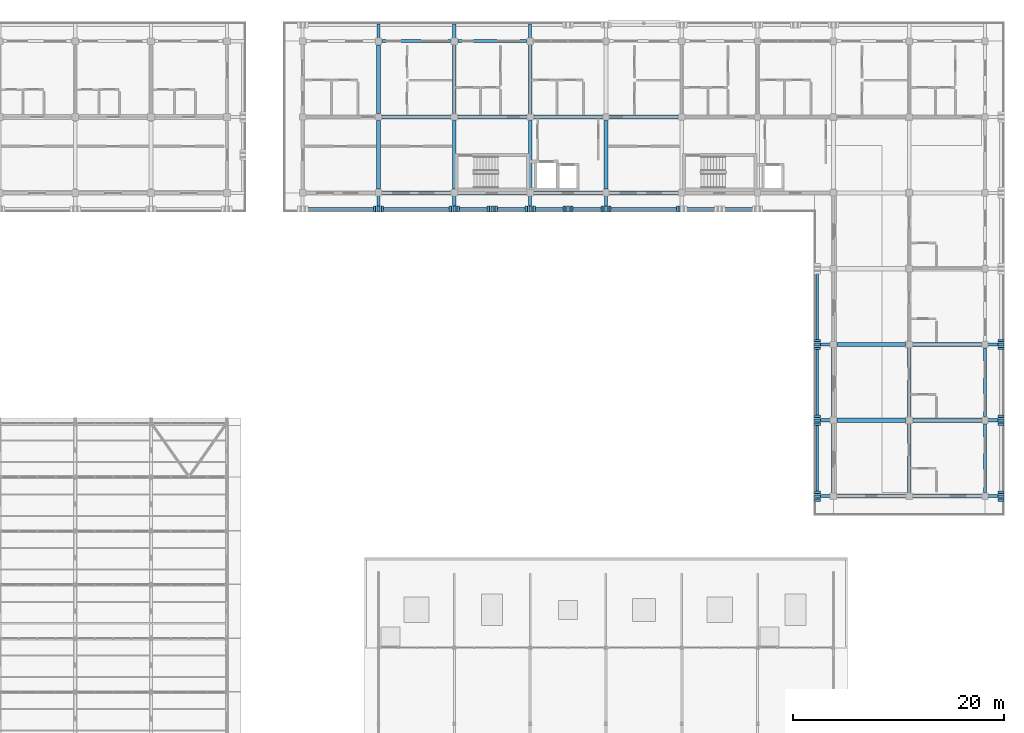
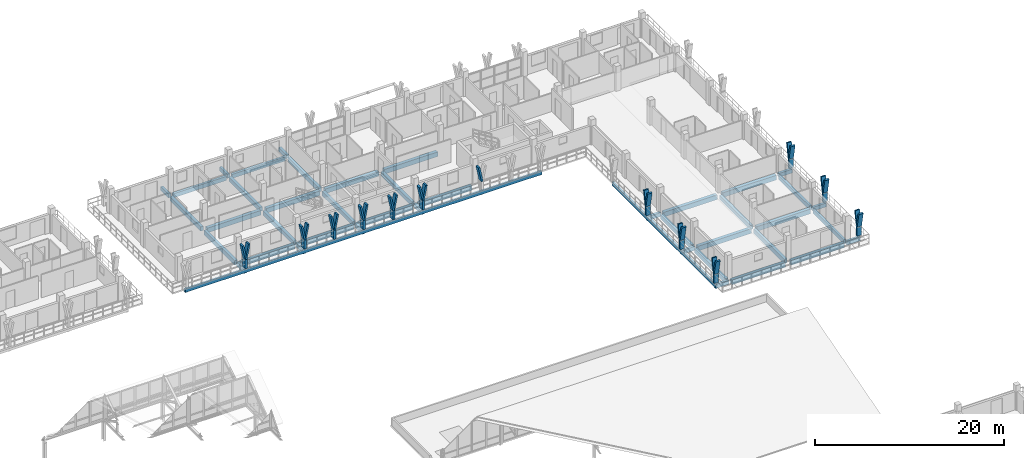
# One storey, part 88 of 157: 44 beams, 37 members.
"""IFC4 building model written with IfcOpenShell, lengths in metres."""

from ifc_helpers import new_model, si_unit, direction, frame, origin, origin_2d, place, context, subcontext, project, spatial, rectangle, extrude, material, material_profile, profile_set, type_object, element, save


model = new_model("IFC4")

# Units and contexts
model_context = context("Model", 3, precision=1e-05, world=origin(), true_north=direction((0.0, 1.0)))
body_context = subcontext(model_context, "Body", "Model", "MODEL_VIEW")
ifc_project = project(units=[si_unit("LENGTHUNIT", "METRE"), si_unit("AREAUNIT", "SQUARE_METRE"), si_unit("VOLUMEUNIT", "CUBIC_METRE"), si_unit("PLANEANGLEUNIT", "RADIAN"), si_unit("MASSUNIT", "GRAM", prefix="KILO")], contexts=[model_context])

# Site, building, storey
site_placement = place(None, origin())
site = spatial("IfcSite", under=ifc_project, at=site_placement, CompositionType="ELEMENT")
building_placement = place(site_placement, origin())
building = spatial("IfcBuilding", under=site, at=building_placement, Name="Suanplinth Sawtooth Commons", CompositionType="ELEMENT")
storey_placement = place(building_placement, frame((0.0, 0.0, 9.0)))
storey = spatial("IfcBuildingStorey", under=building, at=storey_placement, Name="L02", CompositionType="ELEMENT", Elevation=9.0)

# Beams
ifc_material_1 = material(Name="Precast concrete C40/50", Category="concrete")
ifc_material_profile_1 = material_profile(ifc_material_1, rectangle(XDim=0.39990234375, YDim=0.60009765625, at=origin_2d()), Name="PC-GDR 400x600")
ifc_profile_set_1 = profile_set([ifc_material_profile_1], Name="Precast concrete C40/50")
beam_type_1 = type_object("IfcBeamType", Name="B-05", PredefinedType="USERDEFINED", material=ifc_profile_set_1)
for number, where, z_axis, x_axis, name in (
    (1, (129.949951171875, 108.0, -0.550048828125), (1.0, 0.0, 0.0), (0.0, 1.0, 0.0), "BMX-L02-B-18-15"),
    (2, (129.949951171875, 115.199951171875, -0.550048828125), (1.0, 0.0, 0.0), (0.0, 1.0, 0.0), "BMX-L02-B-18-16"),
    (3, (137.14990234375, 108.0, -0.550048828125), (1.0, 0.0, 0.0), (0.0, 1.0, 0.0), "BMX-L02-B-19-15"),
    (4, (137.14990234375, 115.199951171875, -0.550048828125), (1.0, 0.0, 0.0), (0.0, 1.0, 0.0), "BMX-L02-B-19-16"),
    (5, (144.35009765625, 108.0, -0.550048828125), (1.0, 0.0, 0.0), (0.0, 1.0, 0.0), "BMX-L02-B-20-15"),
    (6, (144.35009765625, 115.199951171875, -0.550048828125), (1.0, 0.0, 0.0), (0.0, 1.0, 0.0), "BMX-L02-B-20-16"),
    (7, (151.550048828125, 108.0, -0.550048828125), (1.0, 0.0, 0.0), (0.0, 1.0, 0.0), "BMX-L02-B-21-15"),
    (8, (151.550048828125, 115.199951171875, -0.550048828125), (1.0, 0.0, 0.0), (0.0, 1.0, 0.0), "BMX-L02-B-21-16"),
    (9, (173.14990234375, 79.199951171875, -0.550048828125), (1.0, 0.0, 0.0), (0.0, 1.0, 0.0), "BMX-L02-B-24-11"),
    (10, (173.14990234375, 86.39990234375, -0.550048828125), (1.0, 0.0, 0.0), (0.0, 1.0, 0.0), "BMX-L02-B-24-12"),
    (11, (173.14990234375, 93.60009765625, -0.550048828125), (1.0, 0.0, 0.0), (0.0, 1.0, 0.0), "BMX-L02-B-24-13"),
    (12, (180.35009765625, 79.199951171875, -0.550048828125), (1.0, 0.0, 0.0), (0.0, 1.0, 0.0), "BMX-L02-B-25-11"),
    (13, (180.35009765625, 86.39990234375, -0.550048828125), (1.0, 0.0, 0.0), (0.0, 1.0, 0.0), "BMX-L02-B-25-12"),
    (14, (180.35009765625, 93.60009765625, -0.550048828125), (1.0, 0.0, 0.0), (0.0, 1.0, 0.0), "BMX-L02-B-25-13"),
):
    element("IfcBeam", number, at=place(storey_placement, frame(where, z_axis=z_axis, x_axis=x_axis)), inside=storey, type_object=beam_type_1, Name=name, ObjectType="GIRDER", PredefinedType="USERDEFINED", context=body_context, shape_type="SweptSolid", body=[
        extrude(rectangle(XDim=0.39990234375, YDim=0.60009765625, at=origin_2d()), origin(), (0.0, 0.0, 1.0), 6.5),
    ])
ifc_material_profile_2 = material_profile(ifc_material_1, rectangle(XDim=0.35009765625, YDim=0.550048828125, at=origin_2d()), Name="PC-BM 350x550")
ifc_profile_set_2 = profile_set([ifc_material_profile_2], Name="Precast concrete C40/50")
beam_type_2 = type_object("IfcBeamType", Name="B-06", PredefinedType="BEAM", material=ifc_profile_set_2)
for number, where, z_axis, x_axis, name in (
    (15, (129.60009765625, 108.35009765625, -0.52490234375), (0.0, 1.0, 0.0), (-1.0, 0.0, 0.0), "BMY-L02-B-18-15"),
    (16, (129.60009765625, 115.550048828125, -0.52490234375), (0.0, 1.0, 0.0), (-1.0, 0.0, 0.0), "BMY-L02-B-18-16"),
    (17, (136.800048828125, 108.35009765625, -0.52490234375), (0.0, 1.0, 0.0), (-1.0, 0.0, 0.0), "BMY-L02-B-19-15"),
    (18, (136.800048828125, 115.550048828125, -0.52490234375), (0.0, 1.0, 0.0), (-1.0, 0.0, 0.0), "BMY-L02-B-19-16"),
    (19, (144.0, 108.35009765625, -0.52490234375), (0.0, 1.0, 0.0), (-1.0, 0.0, 0.0), "BMY-L02-B-20-15"),
    (20, (144.0, 115.550048828125, -0.52490234375), (0.0, 1.0, 0.0), (-1.0, 0.0, 0.0), "BMY-L02-B-20-16"),
    (21, (151.199951171875, 108.35009765625, -0.52490234375), (0.0, 1.0, 0.0), (-1.0, 0.0, 0.0), "BMY-L02-B-21-15"),
    (22, (172.800048828125, 79.550048828125, -0.52490234375), (0.0, 1.0, 0.0), (-1.0, 0.0, 0.0), "BMY-L02-B-24-11"),
    (23, (172.800048828125, 86.75, -0.52490234375), (0.0, 1.0, 0.0), (-1.0, 0.0, 0.0), "BMY-L02-B-24-12"),
    (24, (180.0, 79.550048828125, -0.52490234375), (0.0, 1.0, 0.0), (-1.0, 0.0, 0.0), "BMY-L02-B-25-11"),
    (25, (180.0, 86.75, -0.52490234375), (0.0, 1.0, 0.0), (-1.0, 0.0, 0.0), "BMY-L02-B-25-12"),
):
    element("IfcBeam", number, at=place(storey_placement, frame(where, z_axis=z_axis, x_axis=x_axis)), inside=storey, type_object=beam_type_2, Name=name, PredefinedType="BEAM", context=body_context, shape_type="SweptSolid", body=[
        extrude(rectangle(XDim=0.35009765625, YDim=0.550048828125, at=origin_2d()), origin(), (0.0, 0.0, 1.0), 6.5),
    ])
ifc_material_profile_3 = material_profile(ifc_material_1, rectangle(XDim=0.300048828125, YDim=0.5, at=origin_2d()), Name="PC-BM 300x500")
ifc_profile_set_3 = profile_set([ifc_material_profile_3], Name="Precast concrete C40/50")
beam_type_3 = type_object("IfcBeamType", Name="B-07", PredefinedType="BEAM", material=ifc_profile_set_3)
for number, where, z_axis, x_axis, name in (
    (26, (129.60009765625, 122.39990234375, -0.429931640625), (0.0, 1.0, 0.0), (-1.0, 0.0, 0.0), "Balcony Outrigger L02-B-N-18"),
    (27, (136.800048828125, 122.39990234375, -0.429931640625), (0.0, 1.0, 0.0), (-1.0, 0.0, 0.0), "Balcony Outrigger L02-B-N-19"),
    (28, (144.0, 122.39990234375, -0.429931640625), (0.0, 1.0, 0.0), (-1.0, 0.0, 0.0), "Balcony Outrigger L02-B-N-20"),
    (29, (187.199951171875, 79.199951171875, -0.429931640625), (1.0, 0.0, 0.0), (0.0, 1.0, 0.0), "Balcony Outrigger L02-B-E-11"),
    (30, (187.199951171875, 86.39990234375, -0.429931640625), (1.0, 0.0, 0.0), (0.0, 1.0, 0.0), "Balcony Outrigger L02-B-E-12"),
    (31, (187.199951171875, 93.60009765625, -0.429931640625), (1.0, 0.0, 0.0), (0.0, 1.0, 0.0), "Balcony Outrigger L02-B-E-13"),
):
    element("IfcBeam", number, at=place(storey_placement, frame(where, z_axis=z_axis, x_axis=x_axis)), inside=storey, type_object=beam_type_3, Name=name, PredefinedType="BEAM", context=body_context, shape_type="SweptSolid", body=[
        extrude(rectangle(XDim=0.300048828125, YDim=0.5, at=origin_2d()), origin(), (0.0, 0.0, 1.0), 1.64013671875),
    ])
for number, where, z_axis, x_axis, name in (
    (32, (129.60009765625, 108.0, -0.425048828125), (0.0, -1.0, 0.0), (1.0, 0.0, 0.0), "Balcony Outrigger L02-B-SC-18"),
    (33, (136.800048828125, 108.0, -0.425048828125), (0.0, -1.0, 0.0), (1.0, 0.0, 0.0), "Balcony Outrigger L02-B-SC-19"),
    (34, (144.0, 108.0, -0.425048828125), (0.0, -1.0, 0.0), (1.0, 0.0, 0.0), "Balcony Outrigger L02-B-SC-20"),
    (35, (151.199951171875, 108.0, -0.425048828125), (0.0, -1.0, 0.0), (1.0, 0.0, 0.0), "Balcony Outrigger L02-B-SC-21"),
):
    element("IfcBeam", number, at=place(storey_placement, frame(where, z_axis=z_axis, x_axis=x_axis)), inside=storey, type_object=beam_type_3, Name=name, PredefinedType="BEAM", context=body_context, shape_type="SweptSolid", body=[
        extrude(rectangle(XDim=0.300048828125, YDim=0.5, at=origin_2d()), origin(), (0.0, 0.0, 1.0), 1.639892578125),
    ])
for number, where, z_axis, x_axis, name in (
    (36, (172.800048828125, 79.199951171875, -0.425048828125), (-1.0, 0.0, 0.0), (0.0, -1.0, 0.0), "Balcony Outrigger L02-B-WC-11"),
    (37, (172.800048828125, 86.39990234375, -0.425048828125), (-1.0, 0.0, 0.0), (0.0, -1.0, 0.0), "Balcony Outrigger L02-B-WC-12"),
    (38, (172.800048828125, 93.60009765625, -0.425048828125), (-1.0, 0.0, 0.0), (0.0, -1.0, 0.0), "Balcony Outrigger L02-B-WC-13"),
):
    element("IfcBeam", number, at=place(storey_placement, frame(where, z_axis=z_axis, x_axis=x_axis)), inside=storey, type_object=beam_type_3, Name=name, PredefinedType="BEAM", context=body_context, shape_type="SweptSolid", body=[
        extrude(rectangle(XDim=0.300048828125, YDim=0.5, at=origin_2d()), origin(), (0.0, 0.0, 1.0), 1.64013671875),
    ])
ifc_material_profile_4 = material_profile(ifc_material_1, rectangle(XDim=0.280029296875, YDim=0.52001953125, at=origin_2d()), Name="PC-SP 280x520")
ifc_profile_set_4 = profile_set([ifc_material_profile_4], Name="Precast concrete C40/50")
beam_type_4 = type_object("IfcBeamType", Name="B-08", PredefinedType="SPANDREL", material=ifc_profile_set_4)
for number, where, z_axis, x_axis, name in (
    (39, (129.949951171875, 122.39990234375, -0.510009765625), (1.0, 0.0, 0.0), (0.0, 1.0, 0.0), "BMX-L02-B-18-17"),
    (40, (137.14990234375, 122.39990234375, -0.510009765625), (1.0, 0.0, 0.0), (0.0, 1.0, 0.0), "BMX-L02-B-19-17"),
    (41, (187.199951171875, 79.550048828125, -0.510009765625), (0.0, 1.0, 0.0), (-1.0, 0.0, 0.0), "BMY-L02-B-26-11"),
    (42, (187.199951171875, 86.75, -0.510009765625), (0.0, 1.0, 0.0), (-1.0, 0.0, 0.0), "BMY-L02-B-26-12"),
):
    element("IfcBeam", number, at=place(storey_placement, frame(where, z_axis=z_axis, x_axis=x_axis)), inside=storey, type_object=beam_type_4, Name=name, PredefinedType="SPANDREL", context=body_context, shape_type="SweptSolid", body=[
        extrude(rectangle(XDim=0.280029296875, YDim=0.52001953125, at=origin_2d()), origin(), (0.0, 0.0, 1.0), 6.5),
    ])
ifc_material_profile_5 = material_profile(ifc_material_1, rectangle(XDim=0.25, YDim=0.449951171875, at=origin_2d()), Name="PC-SP 250x450")
ifc_profile_set_5 = profile_set([ifc_material_profile_5], Name="Precast concrete C40/50")
beam_type_5 = type_object("IfcBeamType", Name="B-09", PredefinedType="SPANDREL", material=ifc_profile_set_5)
beam_1_placement = place(storey_placement, frame((122.25, 106.47998046875, -0.39990234375), z_axis=(1.0, 0.0, 0.0), x_axis=(0.0, 1.0, 0.0)))
element("IfcBeam", 43, at=beam_1_placement, inside=storey, type_object=beam_type_5, Name="Balcony Edge Fascia L02-B-SC", PredefinedType="SPANDREL", context=body_context, shape_type="SweptSolid", body=[
    extrude(rectangle(XDim=0.25, YDim=0.449951171875, at=origin_2d()), origin(), (0.0, 0.0, 1.0), 43.5),
])
beam_2_placement = place(storey_placement, frame((171.280029296875, 79.050048828125, -0.39990234375), z_axis=(0.0, 1.0, 0.0), x_axis=(-1.0, 0.0, 0.0)))
element("IfcBeam", 44, at=beam_2_placement, inside=storey, type_object=beam_type_5, Name="Balcony Edge Fascia L02-B-WC", PredefinedType="SPANDREL", context=body_context, shape_type="SweptSolid", body=[
    extrude(rectangle(XDim=0.25, YDim=0.449951171875, at=origin_2d()), origin(), (0.0, 0.0, 1.0), 21.89990234375),
])

# Members
ifc_material_2 = material(Name="Pigmented precast concrete C40/50", Category="concrete")
ifc_material_profile_6 = material_profile(ifc_material_2, rectangle(XDim=0.260009765625, YDim=0.550048828125, at=origin_2d()), Name="PC-FIN 260x550")
ifc_profile_set_6 = profile_set([ifc_material_profile_6], Name="Pigmented precast concrete C40/50")
member_type_1 = type_object("IfcMemberType", Name="M-09", PredefinedType="USERDEFINED", material=ifc_profile_set_6)
for number, where, z_axis, x_axis, name in (
    (45, (188.719970703125, 79.199951171875, 0.0), (0.0, 0.0, 1.0), (0.0, 1.0, 0.0), "Y-Blade Stem L02-B-E-08"),
    (46, (188.719970703125, 86.39990234375, 0.0), (0.0, 0.0, 1.0), (0.0, 1.0, 0.0), "Y-Blade Stem L02-B-E-09"),
    (47, (188.719970703125, 93.60009765625, 0.0), (0.0, 0.0, 1.0), (0.0, 1.0, 0.0), "Y-Blade Stem L02-B-E-10"),
    (48, (129.60009765625, 106.47998046875, 0.0), (0.0, 0.0, 1.0), (1.0, 0.0, 0.0), "Y-Blade Stem L02-B-SC-15"),
    (49, (136.800048828125, 106.47998046875, 0.0), (0.0, 0.0, 1.0), (1.0, 0.0, 0.0), "Y-Blade Stem L02-B-SC-16"),
    (50, (140.39990234375, 106.47998046875, 0.0), (0.0, 0.0, 1.0), (1.0, 0.0, 0.0), "Y-Blade Stem L02-B-SC-17"),
    (51, (144.0, 106.47998046875, 0.0), (0.0, 0.0, 1.0), (1.0, 0.0, 0.0), "Y-Blade Stem L02-B-SC-18"),
    (52, (147.60009765625, 106.47998046875, 0.0), (0.0, 0.0, 1.0), (1.0, 0.0, 0.0), "Y-Blade Stem L02-B-SC-19"),
    (53, (151.199951171875, 106.47998046875, 0.0), (0.0, 0.0, 1.0), (1.0, 0.0, 0.0), "Y-Blade Stem L02-B-SC-20"),
    (54, (171.280029296875, 79.199951171875, 0.0), (0.0, 0.0, 1.0), (0.0, 1.0, 0.0), "Y-Blade Stem L02-B-WC-24"),
    (55, (171.280029296875, 86.39990234375, 0.0), (0.0, 0.0, 1.0), (0.0, 1.0, 0.0), "Y-Blade Stem L02-B-WC-25"),
    (56, (171.280029296875, 93.60009765625, 0.0), (0.0, 0.0, 1.0), (0.0, 1.0, 0.0), "Y-Blade Stem L02-B-WC-26"),
):
    element("IfcMember", number, at=place(storey_placement, frame(where, z_axis=z_axis, x_axis=x_axis)), inside=storey, type_object=member_type_1, Name=name, ObjectType="SHADING FIN", PredefinedType="USERDEFINED", context=body_context, shape_type="SweptSolid", body=[
        extrude(rectangle(XDim=0.260009765625, YDim=0.550048828125, at=origin_2d()), origin(), (0.0, 0.0, 1.0), 1.169921875),
    ])
ifc_material_profile_7 = material_profile(ifc_material_2, rectangle(XDim=0.219970703125, YDim=0.550048828125, at=origin_2d()), Name="PC-FIN 220x550")
ifc_profile_set_7 = profile_set([ifc_material_profile_7], Name="Pigmented precast concrete C40/50")
member_type_2 = type_object("IfcMemberType", Name="M-10", PredefinedType="USERDEFINED", material=ifc_profile_set_7)
member_1_placement = place(storey_placement, frame((188.719970703125, 79.199951171875, 1.1298828125), z_axis=(0.0, -0.196285728346, 0.980546741796), x_axis=(0.0, 0.980546741796, 0.196285728346)))
element("IfcMember", 57, at=member_1_placement, inside=storey, type_object=member_type_2, Name="Y-Blade Arm L L02-B-E-08", ObjectType="SHADING FIN", PredefinedType="USERDEFINED", context=body_context, shape_type="SweptSolid", body=[
    extrude(rectangle(XDim=0.219970703125, YDim=0.550048828125, at=origin_2d()), origin(), (0.0, 0.0, 1.0), 1.937744140625),
])
member_2_placement = place(storey_placement, frame((188.719970703125, 79.199951171875, 1.1298828125), z_axis=(0.0, 0.196406855569, 0.980522486782), x_axis=(0.0, -0.980522486782, 0.196406855569)))
element("IfcMember", 58, at=member_2_placement, inside=storey, type_object=member_type_2, Name="Y-Blade Arm R L02-B-E-08", ObjectType="SHADING FIN", PredefinedType="USERDEFINED", context=body_context, shape_type="SweptSolid", body=[
    extrude(rectangle(XDim=0.219970703125, YDim=0.550048828125, at=origin_2d()), origin(), (0.0, 0.0, 1.0), 1.93798828125),
])
member_3_placement = place(storey_placement, frame((188.719970703125, 86.39990234375, 1.1298828125), z_axis=(0.0, -0.196285728346, 0.980546741796), x_axis=(0.0, 0.980546741796, 0.196285728346)))
element("IfcMember", 59, at=member_3_placement, inside=storey, type_object=member_type_2, Name="Y-Blade Arm L L02-B-E-09", ObjectType="SHADING FIN", PredefinedType="USERDEFINED", context=body_context, shape_type="SweptSolid", body=[
    extrude(rectangle(XDim=0.219970703125, YDim=0.550048828125, at=origin_2d()), origin(), (0.0, 0.0, 1.0), 1.937744140625),
])
for number, where, z_axis, x_axis, name in (
    (60, (188.719970703125, 86.39990234375, 1.1298828125), (0.0, 0.196406855569, 0.980522486782), (0.0, -0.980522486782, 0.196406855569), "Y-Blade Arm R L02-B-E-09"),
    (61, (188.719970703125, 93.60009765625, 1.1298828125), (0.0, -0.196406855569, 0.980522486782), (0.0, 0.980522486782, 0.196406855569), "Y-Blade Arm L L02-B-E-10"),
):
    element("IfcMember", number, at=place(storey_placement, frame(where, z_axis=z_axis, x_axis=x_axis)), inside=storey, type_object=member_type_2, Name=name, ObjectType="SHADING FIN", PredefinedType="USERDEFINED", context=body_context, shape_type="SweptSolid", body=[
        extrude(rectangle(XDim=0.219970703125, YDim=0.550048828125, at=origin_2d()), origin(), (0.0, 0.0, 1.0), 1.93798828125),
    ])
member_4_placement = place(storey_placement, frame((188.719970703125, 93.60009765625, 1.1298828125), z_axis=(0.0, 0.196285728346, 0.980546741796), x_axis=(0.0, -0.980546741796, 0.196285728346)))
element("IfcMember", 62, at=member_4_placement, inside=storey, type_object=member_type_2, Name="Y-Blade Arm R L02-B-E-10", ObjectType="SHADING FIN", PredefinedType="USERDEFINED", context=body_context, shape_type="SweptSolid", body=[
    extrude(rectangle(XDim=0.219970703125, YDim=0.550048828125, at=origin_2d()), origin(), (0.0, 0.0, 1.0), 1.937744140625),
])
member_5_placement = place(storey_placement, frame((129.60009765625, 106.47998046875, 1.1298828125), z_axis=(-0.196406855569, 0.0, 0.980522486782), x_axis=(0.980522486782, 0.0, 0.196406855569)))
element("IfcMember", 63, at=member_5_placement, inside=storey, type_object=member_type_2, Name="Y-Blade Arm L L02-B-SC-15", ObjectType="SHADING FIN", PredefinedType="USERDEFINED", context=body_context, shape_type="SweptSolid", body=[
    extrude(rectangle(XDim=0.219970703125, YDim=0.550048828125, at=origin_2d()), origin(), (0.0, 0.0, 1.0), 1.93798828125),
])
member_6_placement = place(storey_placement, frame((129.60009765625, 106.47998046875, 1.1298828125), z_axis=(0.196285728346, 0.0, 0.980546741796), x_axis=(-0.980546741796, 0.0, 0.196285728346)))
element("IfcMember", 64, at=member_6_placement, inside=storey, type_object=member_type_2, Name="Y-Blade Arm R L02-B-SC-15", ObjectType="SHADING FIN", PredefinedType="USERDEFINED", context=body_context, shape_type="SweptSolid", body=[
    extrude(rectangle(XDim=0.219970703125, YDim=0.550048828125, at=origin_2d()), origin(), (0.0, 0.0, 1.0), 1.937744140625),
])
member_7_placement = place(storey_placement, frame((136.800048828125, 106.47998046875, 1.1298828125), z_axis=(-0.196406855569, 0.0, 0.980522486782), x_axis=(0.980522486782, 0.0, 0.196406855569)))
element("IfcMember", 65, at=member_7_placement, inside=storey, type_object=member_type_2, Name="Y-Blade Arm L L02-B-SC-16", ObjectType="SHADING FIN", PredefinedType="USERDEFINED", context=body_context, shape_type="SweptSolid", body=[
    extrude(rectangle(XDim=0.219970703125, YDim=0.550048828125, at=origin_2d()), origin(), (0.0, 0.0, 1.0), 1.93798828125),
])
for number, where, z_axis, x_axis, name in (
    (66, (136.800048828125, 106.47998046875, 1.1298828125), (0.196285728346, 0.0, 0.980546741796), (-0.980546741796, 0.0, 0.196285728346), "Y-Blade Arm R L02-B-SC-16"),
    (67, (140.39990234375, 106.47998046875, 1.1298828125), (-0.196285728346, 0.0, 0.980546741796), (0.980546741796, 0.0, 0.196285728346), "Y-Blade Arm L L02-B-SC-17"),
):
    element("IfcMember", number, at=place(storey_placement, frame(where, z_axis=z_axis, x_axis=x_axis)), inside=storey, type_object=member_type_2, Name=name, ObjectType="SHADING FIN", PredefinedType="USERDEFINED", context=body_context, shape_type="SweptSolid", body=[
        extrude(rectangle(XDim=0.219970703125, YDim=0.550048828125, at=origin_2d()), origin(), (0.0, 0.0, 1.0), 1.937744140625),
    ])
for number, where, z_axis, x_axis, name in (
    (68, (140.39990234375, 106.47998046875, 1.1298828125), (0.196406855569, 0.0, 0.980522486782), (-0.980522486782, 0.0, 0.196406855569), "Y-Blade Arm R L02-B-SC-17"),
    (69, (144.0, 106.47998046875, 1.1298828125), (-0.196406855569, 0.0, 0.980522486782), (0.980522486782, 0.0, 0.196406855569), "Y-Blade Arm L L02-B-SC-18"),
    (70, (144.0, 106.47998046875, 1.1298828125), (0.196406855569, 0.0, 0.980522486782), (-0.980522486782, 0.0, 0.196406855569), "Y-Blade Arm R L02-B-SC-18"),
    (71, (147.60009765625, 106.47998046875, 1.1298828125), (-0.196406855569, 0.0, 0.980522486782), (0.980522486782, 0.0, 0.196406855569), "Y-Blade Arm L L02-B-SC-19"),
):
    element("IfcMember", number, at=place(storey_placement, frame(where, z_axis=z_axis, x_axis=x_axis)), inside=storey, type_object=member_type_2, Name=name, ObjectType="SHADING FIN", PredefinedType="USERDEFINED", context=body_context, shape_type="SweptSolid", body=[
        extrude(rectangle(XDim=0.219970703125, YDim=0.550048828125, at=origin_2d()), origin(), (0.0, 0.0, 1.0), 1.93798828125),
    ])
for number, where, z_axis, x_axis, name in (
    (72, (147.60009765625, 106.47998046875, 1.1298828125), (0.196285728346, 0.0, 0.980546741796), (-0.980546741796, 0.0, 0.196285728346), "Y-Blade Arm R L02-B-SC-19"),
    (73, (151.199951171875, 106.47998046875, 1.1298828125), (-0.196285728346, 0.0, 0.980546741796), (0.980546741796, 0.0, 0.196285728346), "Y-Blade Arm L L02-B-SC-20"),
):
    element("IfcMember", number, at=place(storey_placement, frame(where, z_axis=z_axis, x_axis=x_axis)), inside=storey, type_object=member_type_2, Name=name, ObjectType="SHADING FIN", PredefinedType="USERDEFINED", context=body_context, shape_type="SweptSolid", body=[
        extrude(rectangle(XDim=0.219970703125, YDim=0.550048828125, at=origin_2d()), origin(), (0.0, 0.0, 1.0), 1.937744140625),
    ])
member_8_placement = place(storey_placement, frame((151.199951171875, 106.47998046875, 1.1298828125), z_axis=(0.196406855569, 0.0, 0.980522486782), x_axis=(-0.980522486782, 0.0, 0.196406855569)))
element("IfcMember", 74, at=member_8_placement, inside=storey, type_object=member_type_2, Name="Y-Blade Arm R L02-B-SC-20", ObjectType="SHADING FIN", PredefinedType="USERDEFINED", context=body_context, shape_type="SweptSolid", body=[
    extrude(rectangle(XDim=0.219970703125, YDim=0.550048828125, at=origin_2d()), origin(), (0.0, 0.0, 1.0), 1.93798828125),
])
for number, where, z_axis, x_axis, name in (
    (75, (158.39990234375, 106.47998046875, 1.1298828125), (-0.196285728346, 0.0, 0.980546741796), (0.980546741796, 0.0, 0.196285728346), "Y-Blade Arm L L02-B-SC-21"),
    (76, (171.280029296875, 79.199951171875, 1.1298828125), (0.0, -0.196285728346, 0.980546741796), (0.0, 0.980546741796, 0.196285728346), "Y-Blade Arm L L02-B-WC-24"),
):
    element("IfcMember", number, at=place(storey_placement, frame(where, z_axis=z_axis, x_axis=x_axis)), inside=storey, type_object=member_type_2, Name=name, ObjectType="SHADING FIN", PredefinedType="USERDEFINED", context=body_context, shape_type="SweptSolid", body=[
        extrude(rectangle(XDim=0.219970703125, YDim=0.550048828125, at=origin_2d()), origin(), (0.0, 0.0, 1.0), 1.937744140625),
    ])
member_9_placement = place(storey_placement, frame((171.280029296875, 79.199951171875, 1.1298828125), z_axis=(0.0, 0.196406855569, 0.980522486782), x_axis=(0.0, -0.980522486782, 0.196406855569)))
element("IfcMember", 77, at=member_9_placement, inside=storey, type_object=member_type_2, Name="Y-Blade Arm R L02-B-WC-24", ObjectType="SHADING FIN", PredefinedType="USERDEFINED", context=body_context, shape_type="SweptSolid", body=[
    extrude(rectangle(XDim=0.219970703125, YDim=0.550048828125, at=origin_2d()), origin(), (0.0, 0.0, 1.0), 1.93798828125),
])
member_10_placement = place(storey_placement, frame((171.280029296875, 86.39990234375, 1.1298828125), z_axis=(0.0, -0.196285728346, 0.980546741796), x_axis=(0.0, 0.980546741796, 0.196285728346)))
element("IfcMember", 78, at=member_10_placement, inside=storey, type_object=member_type_2, Name="Y-Blade Arm L L02-B-WC-25", ObjectType="SHADING FIN", PredefinedType="USERDEFINED", context=body_context, shape_type="SweptSolid", body=[
    extrude(rectangle(XDim=0.219970703125, YDim=0.550048828125, at=origin_2d()), origin(), (0.0, 0.0, 1.0), 1.937744140625),
])
for number, where, z_axis, x_axis, name in (
    (79, (171.280029296875, 86.39990234375, 1.1298828125), (0.0, 0.196406855569, 0.980522486782), (0.0, -0.980522486782, 0.196406855569), "Y-Blade Arm R L02-B-WC-25"),
    (80, (171.280029296875, 93.60009765625, 1.1298828125), (0.0, -0.196406855569, 0.980522486782), (0.0, 0.980522486782, 0.196406855569), "Y-Blade Arm L L02-B-WC-26"),
):
    element("IfcMember", number, at=place(storey_placement, frame(where, z_axis=z_axis, x_axis=x_axis)), inside=storey, type_object=member_type_2, Name=name, ObjectType="SHADING FIN", PredefinedType="USERDEFINED", context=body_context, shape_type="SweptSolid", body=[
        extrude(rectangle(XDim=0.219970703125, YDim=0.550048828125, at=origin_2d()), origin(), (0.0, 0.0, 1.0), 1.93798828125),
    ])
member_11_placement = place(storey_placement, frame((171.280029296875, 93.60009765625, 1.1298828125), z_axis=(0.0, 0.196285728346, 0.980546741796), x_axis=(0.0, -0.980546741796, 0.196285728346)))
element("IfcMember", 81, at=member_11_placement, inside=storey, type_object=member_type_2, Name="Y-Blade Arm R L02-B-WC-26", ObjectType="SHADING FIN", PredefinedType="USERDEFINED", context=body_context, shape_type="SweptSolid", body=[
    extrude(rectangle(XDim=0.219970703125, YDim=0.550048828125, at=origin_2d()), origin(), (0.0, 0.0, 1.0), 1.937744140625),
])

save(model, "model.ifc")
